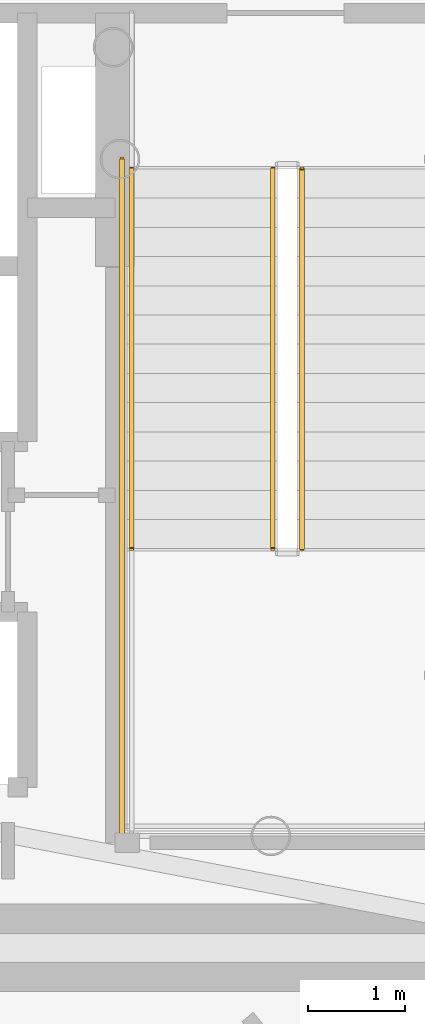
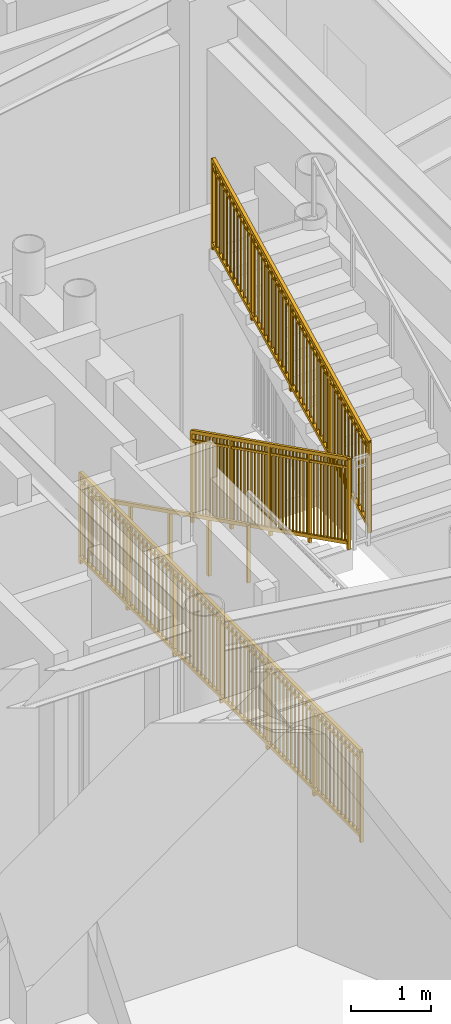
# One storey, part 31 of 35: 4 railings.
"""IFC4 building model written with IfcOpenShell, lengths in metres."""

from ifc_helpers import new_model, si_unit, direction, frame, origin, origin_2d, place, context, subcontext, project, spatial, rectangle, extrude, source, transform, mapped, material, type_object, element, save


model = new_model("IFC4")

# Units and contexts
model_context = context("Model", 3, precision=1e-05, world=origin(), true_north=direction((0.0, 1.0)))
body_context = subcontext(model_context, "Body", "Model", "MODEL_VIEW")
ifc_project = project(units=[si_unit("LENGTHUNIT", "METRE"), si_unit("AREAUNIT", "SQUARE_METRE"), si_unit("VOLUMEUNIT", "CUBIC_METRE"), si_unit("PLANEANGLEUNIT", "RADIAN"), si_unit("MASSUNIT", "GRAM", prefix="KILO")], contexts=[model_context])

# Site, building, storey
site_placement = place(None, origin())
site = spatial("IfcSite", under=ifc_project, at=site_placement, CompositionType="ELEMENT")
building_placement = place(site_placement, origin())
building = spatial("IfcBuilding", under=site, at=building_placement, Name="Linh Dai School and Residence Tower", CompositionType="ELEMENT")
storey_placement = place(building_placement, frame((0.0, 0.0, 32.39990234375)))
storey = spatial("IfcBuildingStorey", under=building, at=storey_placement, Name="L07", CompositionType="ELEMENT", Elevation=32.39990234375)

# Railings
ifc_material_1 = material(Name="Structural Steel S355JR", Category="steel")
railing_type_1 = type_object("IfcRailingType", Name="RL-ST-GUARD-1400", PredefinedType="GUARDRAIL", material=ifc_material_1)
shared_shape_1 = source(origin(), body_context, "Body", "SweptSolid", [
    extrude(rectangle(XDim=0.048095703125, YDim=0.048095703125, at=origin_2d()), frame((0.0, 0.0, 1.3759765625), z_axis=(0.0, -1.0, 0.0), x_axis=(1.0, 0.0, 0.0)), (0.0, 0.0, 1.0), 7.0),
    extrude(rectangle(XDim=0.048095703125, YDim=0.048095703125, at=origin_2d()), frame((0.0, 0.0, 0.10009765625), z_axis=(0.0, -1.0, 0.0), x_axis=(1.0, 0.0, 0.0)), (0.0, 0.0, 1.0), 7.0),
    extrude(rectangle(XDim=0.030029296875, YDim=0.030029296875, at=origin_2d()), frame((0.0, 0.0, 1.239990234375), z_axis=(0.0, -1.0, 0.0), x_axis=(1.0, 0.0, 0.0)), (0.0, 0.0, 1.0), 7.0),
    extrude(rectangle(XDim=0.02001953125, YDim=0.02001953125, at=origin_2d()), frame((0.0, -0.09716796875, 0.10009765625)), (0.0, 0.0, 1.0), 1.251708984375),
    extrude(rectangle(XDim=0.02001953125, YDim=0.02001953125, at=origin_2d()), frame((0.0, -0.1943359375, 0.10009765625)), (0.0, 0.0, 1.0), 1.251708984375),
    extrude(rectangle(XDim=0.02001953125, YDim=0.02001953125, at=origin_2d()), frame((0.0, -0.291748046875, 0.10009765625)), (0.0, 0.0, 1.0), 1.251708984375),
    extrude(rectangle(XDim=0.02001953125, YDim=0.02001953125, at=origin_2d()), frame((0.0, -0.388916015625, 0.10009765625)), (0.0, 0.0, 1.0), 1.251708984375),
    extrude(rectangle(XDim=0.02001953125, YDim=0.02001953125, at=origin_2d()), frame((0.0, -0.486083984375, 0.10009765625)), (0.0, 0.0, 1.0), 1.251708984375),
    extrude(rectangle(XDim=0.02001953125, YDim=0.02001953125, at=origin_2d()), frame((0.0, -0.583251953125, 0.10009765625)), (0.0, 0.0, 1.0), 1.251708984375),
    extrude(rectangle(XDim=0.02001953125, YDim=0.02001953125, at=origin_2d()), frame((0.0, -0.6806640625, 0.10009765625)), (0.0, 0.0, 1.0), 1.251708984375),
    extrude(rectangle(XDim=0.02001953125, YDim=0.02001953125, at=origin_2d()), frame((0.0, -0.77783203125, 0.10009765625)), (0.0, 0.0, 1.0), 1.251708984375),
    extrude(rectangle(XDim=0.02001953125, YDim=0.02001953125, at=origin_2d()), frame((0.0, -0.875, 0.10009765625)), (0.0, 0.0, 1.0), 1.251708984375),
    extrude(rectangle(XDim=0.02001953125, YDim=0.02001953125, at=origin_2d()), frame((0.0, -0.97216796875, 0.10009765625)), (0.0, 0.0, 1.0), 1.251708984375),
    extrude(rectangle(XDim=0.02001953125, YDim=0.02001953125, at=origin_2d()), frame((0.0, -1.0693359375, 0.10009765625)), (0.0, 0.0, 1.0), 1.251708984375),
    extrude(rectangle(XDim=0.02001953125, YDim=0.02001953125, at=origin_2d()), frame((0.0, -1.263916015625, 0.10009765625)), (0.0, 0.0, 1.0), 1.251708984375),
    extrude(rectangle(XDim=0.02001953125, YDim=0.02001953125, at=origin_2d()), frame((0.0, -1.361083984375, 0.10009765625)), (0.0, 0.0, 1.0), 1.251708984375),
    extrude(rectangle(XDim=0.02001953125, YDim=0.02001953125, at=origin_2d()), frame((0.0, -1.458251953125, 0.10009765625)), (0.0, 0.0, 1.0), 1.251708984375),
    extrude(rectangle(XDim=0.02001953125, YDim=0.02001953125, at=origin_2d()), frame((0.0, -1.5556640625, 0.10009765625)), (0.0, 0.0, 1.0), 1.251708984375),
    extrude(rectangle(XDim=0.02001953125, YDim=0.02001953125, at=origin_2d()), frame((0.0, -1.65283203125, 0.10009765625)), (0.0, 0.0, 1.0), 1.251708984375),
    extrude(rectangle(XDim=0.02001953125, YDim=0.02001953125, at=origin_2d()), frame((0.0, -1.75, 0.10009765625)), (0.0, 0.0, 1.0), 1.251708984375),
    extrude(rectangle(XDim=0.02001953125, YDim=0.02001953125, at=origin_2d()), frame((0.0, -1.84716796875, 0.10009765625)), (0.0, 0.0, 1.0), 1.251708984375),
    extrude(rectangle(XDim=0.02001953125, YDim=0.02001953125, at=origin_2d()), frame((0.0, -1.9443359375, 0.10009765625)), (0.0, 0.0, 1.0), 1.251708984375),
    extrude(rectangle(XDim=0.02001953125, YDim=0.02001953125, at=origin_2d()), frame((0.0, -2.041748046875, 0.10009765625)), (0.0, 0.0, 1.0), 1.251708984375),
    extrude(rectangle(XDim=0.02001953125, YDim=0.02001953125, at=origin_2d()), frame((0.0, -2.138916015625, 0.10009765625)), (0.0, 0.0, 1.0), 1.251708984375),
    extrude(rectangle(XDim=0.02001953125, YDim=0.02001953125, at=origin_2d()), frame((0.0, -2.236083984375, 0.10009765625)), (0.0, 0.0, 1.0), 1.251708984375),
    extrude(rectangle(XDim=0.02001953125, YDim=0.02001953125, at=origin_2d()), frame((0.0, -2.4306640625, 0.10009765625)), (0.0, 0.0, 1.0), 1.251708984375),
    extrude(rectangle(XDim=0.02001953125, YDim=0.02001953125, at=origin_2d()), frame((0.0, -2.52783203125, 0.10009765625)), (0.0, 0.0, 1.0), 1.251708984375),
    extrude(rectangle(XDim=0.02001953125, YDim=0.02001953125, at=origin_2d()), frame((0.0, -2.625, 0.10009765625)), (0.0, 0.0, 1.0), 1.251708984375),
    extrude(rectangle(XDim=0.02001953125, YDim=0.02001953125, at=origin_2d()), frame((0.0, -2.72216796875, 0.10009765625)), (0.0, 0.0, 1.0), 1.251708984375),
    extrude(rectangle(XDim=0.02001953125, YDim=0.02001953125, at=origin_2d()), frame((0.0, -2.8193359375, 0.10009765625)), (0.0, 0.0, 1.0), 1.251708984375),
    extrude(rectangle(XDim=0.02001953125, YDim=0.02001953125, at=origin_2d()), frame((0.0, -2.916748046875, 0.10009765625)), (0.0, 0.0, 1.0), 1.251708984375),
    extrude(rectangle(XDim=0.02001953125, YDim=0.02001953125, at=origin_2d()), frame((0.0, -3.013916015625, 0.10009765625)), (0.0, 0.0, 1.0), 1.251708984375),
    extrude(rectangle(XDim=0.02001953125, YDim=0.02001953125, at=origin_2d()), frame((0.0, -3.111083984375, 0.10009765625)), (0.0, 0.0, 1.0), 1.251708984375),
    extrude(rectangle(XDim=0.02001953125, YDim=0.02001953125, at=origin_2d()), frame((0.0, -3.208251953125, 0.10009765625)), (0.0, 0.0, 1.0), 1.251708984375),
    extrude(rectangle(XDim=0.02001953125, YDim=0.02001953125, at=origin_2d()), frame((0.0, -3.3056640625, 0.10009765625)), (0.0, 0.0, 1.0), 1.251708984375),
    extrude(rectangle(XDim=0.02001953125, YDim=0.02001953125, at=origin_2d()), frame((0.0, -3.40283203125, 0.10009765625)), (0.0, 0.0, 1.0), 1.251708984375),
    extrude(rectangle(XDim=0.02001953125, YDim=0.02001953125, at=origin_2d()), frame((0.0, -3.59716796875, 0.10009765625)), (0.0, 0.0, 1.0), 1.251708984375),
    extrude(rectangle(XDim=0.02001953125, YDim=0.02001953125, at=origin_2d()), frame((0.0, -3.6943359375, 0.10009765625)), (0.0, 0.0, 1.0), 1.251708984375),
    extrude(rectangle(XDim=0.02001953125, YDim=0.02001953125, at=origin_2d()), frame((0.0, -3.791748046875, 0.10009765625)), (0.0, 0.0, 1.0), 1.251708984375),
    extrude(rectangle(XDim=0.02001953125, YDim=0.02001953125, at=origin_2d()), frame((0.0, -3.888916015625, 0.10009765625)), (0.0, 0.0, 1.0), 1.251708984375),
    extrude(rectangle(XDim=0.02001953125, YDim=0.02001953125, at=origin_2d()), frame((0.0, -3.986083984375, 0.10009765625)), (0.0, 0.0, 1.0), 1.251708984375),
    extrude(rectangle(XDim=0.02001953125, YDim=0.02001953125, at=origin_2d()), frame((0.0, -4.083251953125, 0.10009765625)), (0.0, 0.0, 1.0), 1.251708984375),
    extrude(rectangle(XDim=0.02001953125, YDim=0.02001953125, at=origin_2d()), frame((0.0, -4.1806640625, 0.10009765625)), (0.0, 0.0, 1.0), 1.251708984375),
    extrude(rectangle(XDim=0.02001953125, YDim=0.02001953125, at=origin_2d()), frame((0.0, -4.27783203125, 0.10009765625)), (0.0, 0.0, 1.0), 1.251708984375),
    extrude(rectangle(XDim=0.02001953125, YDim=0.02001953125, at=origin_2d()), frame((0.0, -4.375, 0.10009765625)), (0.0, 0.0, 1.0), 1.251708984375),
    extrude(rectangle(XDim=0.02001953125, YDim=0.02001953125, at=origin_2d()), frame((0.0, -4.47216796875, 0.10009765625)), (0.0, 0.0, 1.0), 1.251708984375),
    extrude(rectangle(XDim=0.02001953125, YDim=0.02001953125, at=origin_2d()), frame((0.0, -4.5693359375, 0.10009765625)), (0.0, 0.0, 1.0), 1.251708984375),
    extrude(rectangle(XDim=0.02001953125, YDim=0.02001953125, at=origin_2d()), frame((0.0, -4.763916015625, 0.10009765625)), (0.0, 0.0, 1.0), 1.251708984375),
    extrude(rectangle(XDim=0.02001953125, YDim=0.02001953125, at=origin_2d()), frame((0.0, -4.861083984375, 0.10009765625)), (0.0, 0.0, 1.0), 1.251708984375),
    extrude(rectangle(XDim=0.02001953125, YDim=0.02001953125, at=origin_2d()), frame((0.0, -4.958251953125, 0.10009765625)), (0.0, 0.0, 1.0), 1.251708984375),
    extrude(rectangle(XDim=0.02001953125, YDim=0.02001953125, at=origin_2d()), frame((0.0, -5.0556640625, 0.10009765625)), (0.0, 0.0, 1.0), 1.251708984375),
    extrude(rectangle(XDim=0.02001953125, YDim=0.02001953125, at=origin_2d()), frame((0.0, -5.15283203125, 0.10009765625)), (0.0, 0.0, 1.0), 1.251708984375),
    extrude(rectangle(XDim=0.02001953125, YDim=0.02001953125, at=origin_2d()), frame((0.0, -5.25, 0.10009765625)), (0.0, 0.0, 1.0), 1.251708984375),
    extrude(rectangle(XDim=0.02001953125, YDim=0.02001953125, at=origin_2d()), frame((0.0, -5.34716796875, 0.10009765625)), (0.0, 0.0, 1.0), 1.251708984375),
    extrude(rectangle(XDim=0.02001953125, YDim=0.02001953125, at=origin_2d()), frame((0.0, -5.4443359375, 0.10009765625)), (0.0, 0.0, 1.0), 1.251708984375),
    extrude(rectangle(XDim=0.02001953125, YDim=0.02001953125, at=origin_2d()), frame((0.0, -5.541748046875, 0.10009765625)), (0.0, 0.0, 1.0), 1.251708984375),
    extrude(rectangle(XDim=0.02001953125, YDim=0.02001953125, at=origin_2d()), frame((0.0, -5.638916015625, 0.10009765625)), (0.0, 0.0, 1.0), 1.251708984375),
    extrude(rectangle(XDim=0.02001953125, YDim=0.02001953125, at=origin_2d()), frame((0.0, -5.736083984375, 0.10009765625)), (0.0, 0.0, 1.0), 1.251708984375),
    extrude(rectangle(XDim=0.02001953125, YDim=0.02001953125, at=origin_2d()), frame((0.0, -5.9306640625, 0.10009765625)), (0.0, 0.0, 1.0), 1.251708984375),
    extrude(rectangle(XDim=0.02001953125, YDim=0.02001953125, at=origin_2d()), frame((0.0, -6.02783203125, 0.10009765625)), (0.0, 0.0, 1.0), 1.251708984375),
    extrude(rectangle(XDim=0.02001953125, YDim=0.02001953125, at=origin_2d()), frame((0.0, -6.125, 0.10009765625)), (0.0, 0.0, 1.0), 1.251708984375),
    extrude(rectangle(XDim=0.02001953125, YDim=0.02001953125, at=origin_2d()), frame((0.0, -6.22216796875, 0.10009765625)), (0.0, 0.0, 1.0), 1.251708984375),
    extrude(rectangle(XDim=0.02001953125, YDim=0.02001953125, at=origin_2d()), frame((0.0, -6.3193359375, 0.10009765625)), (0.0, 0.0, 1.0), 1.251708984375),
    extrude(rectangle(XDim=0.02001953125, YDim=0.02001953125, at=origin_2d()), frame((0.0, -6.416748046875, 0.10009765625)), (0.0, 0.0, 1.0), 1.251708984375),
    extrude(rectangle(XDim=0.02001953125, YDim=0.02001953125, at=origin_2d()), frame((0.0, -6.513916015625, 0.10009765625)), (0.0, 0.0, 1.0), 1.251708984375),
    extrude(rectangle(XDim=0.02001953125, YDim=0.02001953125, at=origin_2d()), frame((0.0, -6.611083984375, 0.10009765625)), (0.0, 0.0, 1.0), 1.251708984375),
    extrude(rectangle(XDim=0.02001953125, YDim=0.02001953125, at=origin_2d()), frame((0.0, -6.708251953125, 0.10009765625)), (0.0, 0.0, 1.0), 1.251708984375),
    extrude(rectangle(XDim=0.02001953125, YDim=0.02001953125, at=origin_2d()), frame((0.0, -6.8056640625, 0.10009765625)), (0.0, 0.0, 1.0), 1.251708984375),
    extrude(rectangle(XDim=0.02001953125, YDim=0.02001953125, at=origin_2d()), frame((0.0, -6.90283203125, 0.10009765625)), (0.0, 0.0, 1.0), 1.251708984375),
    extrude(rectangle(XDim=0.0419921875, YDim=0.0419921875, at=origin_2d()), origin(), (0.0, 0.0, 1.0), 1.3759765625),
    extrude(rectangle(XDim=0.0419921875, YDim=0.0419921875, at=origin_2d()), frame((0.0, -1.166748046875, 0.0)), (0.0, 0.0, 1.0), 1.3759765625),
    extrude(rectangle(XDim=0.0419921875, YDim=0.0419921875, at=origin_2d()), frame((0.0, -2.333251953125, 0.0)), (0.0, 0.0, 1.0), 1.3759765625),
    extrude(rectangle(XDim=0.0419921875, YDim=0.0419921875, at=origin_2d()), frame((0.0, -3.5, 0.0)), (0.0, 0.0, 1.0), 1.3759765625),
    extrude(rectangle(XDim=0.0419921875, YDim=0.0419921875, at=origin_2d()), frame((0.0, -4.666748046875, 0.0)), (0.0, 0.0, 1.0), 1.3759765625),
    extrude(rectangle(XDim=0.0419921875, YDim=0.0419921875, at=origin_2d()), frame((0.0, -5.833251953125, 0.0)), (0.0, 0.0, 1.0), 1.3759765625),
    extrude(rectangle(XDim=0.0419921875, YDim=0.0419921875, at=origin_2d()), frame((0.0, -7.0, 0.0)), (0.0, 0.0, 1.0), 1.3759765625),
])
railing_1_placement = place(storey_placement, frame((40.969970703125, 28.35009765625, 0.0)))
element("IfcRailing", 1, at=railing_1_placement, inside=storey, type_object=railing_type_1, Name="L07 ST2 stair guard 10", PredefinedType="GUARDRAIL", context=body_context, shape_type="MappedRepresentation", body=[
    mapped(shared_shape_1, transform((0.0, 0.0, 0.0), x_axis=(1.0, 0.0, 0.0), y_axis=(0.0, 1.0, 0.0), z_axis=(0.0, 0.0, 1.0), scale=1.0)),
])
shared_shape_2 = source(origin(), body_context, "Body", "SweptSolid", [
    extrude(rectangle(XDim=0.048095703125, YDim=0.048095703125, at=origin_2d()), frame((0.0, 0.0, 1.3759765625), z_axis=(0.0, -0.894427191, 0.4472135955), x_axis=(1.0, 0.0, 0.0)), (0.0, 0.0, 1.0), 4.360107421875),
    extrude(rectangle(XDim=0.048095703125, YDim=0.048095703125, at=origin_2d()), frame((0.0, 0.0, 0.10009765625), z_axis=(0.0, -0.894427191, 0.4472135955), x_axis=(1.0, 0.0, 0.0)), (0.0, 0.0, 1.0), 4.360107421875),
    extrude(rectangle(XDim=0.030029296875, YDim=0.030029296875, at=origin_2d()), frame((0.0, 0.0, 1.239990234375), z_axis=(0.0, -0.894427191, 0.4472135955), x_axis=(1.0, 0.0, 0.0)), (0.0, 0.0, 1.0), 4.360107421875),
    extrude(rectangle(XDim=0.02001953125, YDim=0.02001953125, at=origin_2d()), frame((0.0, -0.086669921875, 0.143310546875)), (0.0, 0.0, 1.0), 1.251708984375),
    extrude(rectangle(XDim=0.02001953125, YDim=0.02001953125, at=origin_2d()), frame((0.0, -0.17333984375, 0.186767578125)), (0.0, 0.0, 1.0), 1.251708984375),
    extrude(rectangle(XDim=0.02001953125, YDim=0.02001953125, at=origin_2d()), frame((0.0, -0.260009765625, 0.22998046875)), (0.0, 0.0, 1.0), 1.251708984375),
    extrude(rectangle(XDim=0.02001953125, YDim=0.02001953125, at=origin_2d()), frame((0.0, -0.3466796875, 0.2734375)), (0.0, 0.0, 1.0), 1.251708984375),
    extrude(rectangle(XDim=0.02001953125, YDim=0.02001953125, at=origin_2d()), frame((0.0, -0.433349609375, 0.316650390625)), (0.0, 0.0, 1.0), 1.251708984375),
    extrude(rectangle(XDim=0.02001953125, YDim=0.02001953125, at=origin_2d()), frame((0.0, -0.52001953125, 0.360107421875)), (0.0, 0.0, 1.0), 1.251708984375),
    extrude(rectangle(XDim=0.02001953125, YDim=0.02001953125, at=origin_2d()), frame((0.0, -0.606689453125, 0.4033203125)), (0.0, 0.0, 1.0), 1.251708984375),
    extrude(rectangle(XDim=0.02001953125, YDim=0.02001953125, at=origin_2d()), frame((0.0, -0.693359375, 0.44677734375)), (0.0, 0.0, 1.0), 1.251708984375),
    extrude(rectangle(XDim=0.02001953125, YDim=0.02001953125, at=origin_2d()), frame((0.0, -0.780029296875, 0.489990234375)), (0.0, 0.0, 1.0), 1.251708984375),
    extrude(rectangle(XDim=0.02001953125, YDim=0.02001953125, at=origin_2d()), frame((0.0, -0.86669921875, 0.533447265625)), (0.0, 0.0, 1.0), 1.251708984375),
    extrude(rectangle(XDim=0.02001953125, YDim=0.02001953125, at=origin_2d()), frame((0.0, -1.0400390625, 0.6201171875)), (0.0, 0.0, 1.0), 1.251708984375),
    extrude(rectangle(XDim=0.02001953125, YDim=0.02001953125, at=origin_2d()), frame((0.0, -1.126708984375, 0.663330078125)), (0.0, 0.0, 1.0), 1.251708984375),
    extrude(rectangle(XDim=0.02001953125, YDim=0.02001953125, at=origin_2d()), frame((0.0, -1.21337890625, 0.706787109375)), (0.0, 0.0, 1.0), 1.251708984375),
    extrude(rectangle(XDim=0.02001953125, YDim=0.02001953125, at=origin_2d()), frame((0.0, -1.300048828125, 0.75)), (0.0, 0.0, 1.0), 1.251708984375),
    extrude(rectangle(XDim=0.02001953125, YDim=0.02001953125, at=origin_2d()), frame((0.0, -1.38671875, 0.79345703125)), (0.0, 0.0, 1.0), 1.251708984375),
    extrude(rectangle(XDim=0.02001953125, YDim=0.02001953125, at=origin_2d()), frame((0.0, -1.473388671875, 0.836669921875)), (0.0, 0.0, 1.0), 1.251708984375),
    extrude(rectangle(XDim=0.02001953125, YDim=0.02001953125, at=origin_2d()), frame((0.0, -1.56005859375, 0.880126953125)), (0.0, 0.0, 1.0), 1.251708984375),
    extrude(rectangle(XDim=0.02001953125, YDim=0.02001953125, at=origin_2d()), frame((0.0, -1.646728515625, 0.92333984375)), (0.0, 0.0, 1.0), 1.251708984375),
    extrude(rectangle(XDim=0.02001953125, YDim=0.02001953125, at=origin_2d()), frame((0.0, -1.7333984375, 0.966796875)), (0.0, 0.0, 1.0), 1.251708984375),
    extrude(rectangle(XDim=0.02001953125, YDim=0.02001953125, at=origin_2d()), frame((0.0, -1.820068359375, 1.010009765625)), (0.0, 0.0, 1.0), 1.251708984375),
    extrude(rectangle(XDim=0.02001953125, YDim=0.02001953125, at=origin_2d()), frame((0.0, -1.90673828125, 1.053466796875)), (0.0, 0.0, 1.0), 1.251708984375),
    extrude(rectangle(XDim=0.02001953125, YDim=0.02001953125, at=origin_2d()), frame((0.0, -1.9931640625, 1.0966796875)), (0.0, 0.0, 1.0), 1.251708984375),
    extrude(rectangle(XDim=0.02001953125, YDim=0.02001953125, at=origin_2d()), frame((0.0, -2.079833984375, 1.14013671875)), (0.0, 0.0, 1.0), 1.251708984375),
    extrude(rectangle(XDim=0.02001953125, YDim=0.02001953125, at=origin_2d()), frame((0.0, -2.16650390625, 1.183349609375)), (0.0, 0.0, 1.0), 1.251708984375),
    extrude(rectangle(XDim=0.02001953125, YDim=0.02001953125, at=origin_2d()), frame((0.0, -2.253173828125, 1.226806640625)), (0.0, 0.0, 1.0), 1.251708984375),
    extrude(rectangle(XDim=0.02001953125, YDim=0.02001953125, at=origin_2d()), frame((0.0, -2.33984375, 1.27001953125)), (0.0, 0.0, 1.0), 1.251708984375),
    extrude(rectangle(XDim=0.02001953125, YDim=0.02001953125, at=origin_2d()), frame((0.0, -2.426513671875, 1.3134765625)), (0.0, 0.0, 1.0), 1.251708984375),
    extrude(rectangle(XDim=0.02001953125, YDim=0.02001953125, at=origin_2d()), frame((0.0, -2.51318359375, 1.356689453125)), (0.0, 0.0, 1.0), 1.251708984375),
    extrude(rectangle(XDim=0.02001953125, YDim=0.02001953125, at=origin_2d()), frame((0.0, -2.599853515625, 1.400146484375)), (0.0, 0.0, 1.0), 1.251708984375),
    extrude(rectangle(XDim=0.02001953125, YDim=0.02001953125, at=origin_2d()), frame((0.0, -2.6865234375, 1.443359375)), (0.0, 0.0, 1.0), 1.251708984375),
    extrude(rectangle(XDim=0.02001953125, YDim=0.02001953125, at=origin_2d()), frame((0.0, -2.773193359375, 1.48681640625)), (0.0, 0.0, 1.0), 1.251708984375),
    extrude(rectangle(XDim=0.02001953125, YDim=0.02001953125, at=origin_2d()), frame((0.0, -2.85986328125, 1.530029296875)), (0.0, 0.0, 1.0), 1.251708984375),
    extrude(rectangle(XDim=0.02001953125, YDim=0.02001953125, at=origin_2d()), frame((0.0, -3.033203125, 1.61669921875)), (0.0, 0.0, 1.0), 1.251708984375),
    extrude(rectangle(XDim=0.02001953125, YDim=0.02001953125, at=origin_2d()), frame((0.0, -3.119873046875, 1.66015625)), (0.0, 0.0, 1.0), 1.251708984375),
    extrude(rectangle(XDim=0.02001953125, YDim=0.02001953125, at=origin_2d()), frame((0.0, -3.20654296875, 1.703369140625)), (0.0, 0.0, 1.0), 1.251708984375),
    extrude(rectangle(XDim=0.02001953125, YDim=0.02001953125, at=origin_2d()), frame((0.0, -3.293212890625, 1.746826171875)), (0.0, 0.0, 1.0), 1.251708984375),
    extrude(rectangle(XDim=0.02001953125, YDim=0.02001953125, at=origin_2d()), frame((0.0, -3.3798828125, 1.7900390625)), (0.0, 0.0, 1.0), 1.251708984375),
    extrude(rectangle(XDim=0.02001953125, YDim=0.02001953125, at=origin_2d()), frame((0.0, -3.466552734375, 1.83349609375)), (0.0, 0.0, 1.0), 1.251708984375),
    extrude(rectangle(XDim=0.02001953125, YDim=0.02001953125, at=origin_2d()), frame((0.0, -3.55322265625, 1.876708984375)), (0.0, 0.0, 1.0), 1.251708984375),
    extrude(rectangle(XDim=0.02001953125, YDim=0.02001953125, at=origin_2d()), frame((0.0, -3.639892578125, 1.920166015625)), (0.0, 0.0, 1.0), 1.251708984375),
    extrude(rectangle(XDim=0.02001953125, YDim=0.02001953125, at=origin_2d()), frame((0.0, -3.7265625, 1.96337890625)), (0.0, 0.0, 1.0), 1.251708984375),
    extrude(rectangle(XDim=0.02001953125, YDim=0.02001953125, at=origin_2d()), frame((0.0, -3.813232421875, 2.0068359375)), (0.0, 0.0, 1.0), 1.251708984375),
    extrude(rectangle(XDim=0.0419921875, YDim=0.0419921875, at=origin_2d()), origin(), (0.0, 0.0, 1.0), 1.3759765625),
    extrude(rectangle(XDim=0.0419921875, YDim=0.0419921875, at=origin_2d()), frame((0.0, -0.97509765625, 0.487548828125)), (0.0, 0.0, 1.0), 1.3759765625),
    extrude(rectangle(XDim=0.0419921875, YDim=0.0419921875, at=origin_2d()), frame((0.0, -1.949951171875, 0.97509765625)), (0.0, 0.0, 1.0), 1.3759765625),
    extrude(rectangle(XDim=0.0419921875, YDim=0.0419921875, at=origin_2d()), frame((0.0, -2.9248046875, 1.46240234375)), (0.0, 0.0, 1.0), 1.3759765625),
    extrude(rectangle(XDim=0.0419921875, YDim=0.0419921875, at=origin_2d()), frame((0.0, -3.89990234375, 1.949951171875)), (0.0, 0.0, 1.0), 1.3759765625),
])
railing_2_placement = place(storey_placement, frame((42.52001953125, 28.25, 0.150146484375)))
element("IfcRailing", 2, at=railing_2_placement, inside=storey, type_object=railing_type_1, Name="L07 ST2 stair guard 1", PredefinedType="GUARDRAIL", context=body_context, shape_type="MappedRepresentation", body=[
    mapped(shared_shape_2, transform((0.0, 0.0, 0.0), x_axis=(1.0, 0.0, 0.0), y_axis=(0.0, 1.0, 0.0), z_axis=(0.0, 0.0, 1.0), scale=1.0)),
])
ifc_material_2 = material(Name="Brushed Stainless Steel Handrail", Category="steel")
railing_type_2 = type_object("IfcRailingType", Name="RL-ST-HANDRAIL-900", PredefinedType="HANDRAIL", material=ifc_material_2)
shared_shape_3 = source(origin(), body_context, "Body", "SweptSolid", [
    extrude(rectangle(XDim=0.048095703125, YDim=0.048095703125, at=origin_2d()), frame((0.0, 0.0, 0.8759765625), z_axis=(0.0, -0.894427191, 0.4472135955), x_axis=(1.0, 0.0, 0.0)), (0.0, 0.0, 1.0), 4.360107421875),
    extrude(rectangle(XDim=0.0419921875, YDim=0.0419921875, at=origin_2d()), origin(), (0.0, 0.0, 1.0), 0.8759765625),
    extrude(rectangle(XDim=0.0419921875, YDim=0.0419921875, at=origin_2d()), frame((0.0, -0.97509765625, 0.487548828125)), (0.0, 0.0, 1.0), 0.8759765625),
    extrude(rectangle(XDim=0.0419921875, YDim=0.0419921875, at=origin_2d()), frame((0.0, -1.949951171875, 0.97509765625)), (0.0, 0.0, 1.0), 0.8759765625),
    extrude(rectangle(XDim=0.0419921875, YDim=0.0419921875, at=origin_2d()), frame((0.0, -2.9248046875, 1.46240234375)), (0.0, 0.0, 1.0), 0.8759765625),
    extrude(rectangle(XDim=0.0419921875, YDim=0.0419921875, at=origin_2d()), frame((0.0, -3.89990234375, 1.949951171875)), (0.0, 0.0, 1.0), 0.8759765625),
])
railing_3_placement = place(storey_placement, frame((41.070068359375, 28.25, 0.150146484375)))
element("IfcRailing", 3, at=railing_3_placement, inside=storey, type_object=railing_type_2, Name="L07 ST2 stair handrail 1", PredefinedType="HANDRAIL", context=body_context, shape_type="MappedRepresentation", body=[
    mapped(shared_shape_3, transform((0.0, 0.0, 0.0), x_axis=(1.0, 0.0, 0.0), y_axis=(0.0, 1.0, 0.0), z_axis=(0.0, 0.0, 1.0), scale=1.0)),
])
shared_shape_4 = source(origin(), body_context, "Body", "SweptSolid", [
    extrude(rectangle(XDim=0.048095703125, YDim=0.048095703125, at=origin_2d()), frame((0.0, 0.0, 1.3759765625), z_axis=(0.0, 0.894404793364, 0.447258387967), x_axis=(-1.0, 0.0, 0.0)), (0.0, 0.0, 1.0), 4.3603515625),
    extrude(rectangle(XDim=0.048095703125, YDim=0.048095703125, at=origin_2d()), frame((0.0, 0.0, 0.10009765625), z_axis=(0.0, 0.894404793364, 0.447258387967), x_axis=(-1.0, 0.0, 0.0)), (0.0, 0.0, 1.0), 4.3603515625),
    extrude(rectangle(XDim=0.030029296875, YDim=0.030029296875, at=origin_2d()), frame((0.0, 0.0, 1.239990234375), z_axis=(0.0, 0.894404793364, 0.447258387967), x_axis=(-1.0, 0.0, 0.0)), (0.0, 0.0, 1.0), 4.3603515625),
    extrude(rectangle(XDim=0.02001953125, YDim=0.02001953125, at=origin_2d()), frame((0.0, 0.086669921875, 0.1435546875)), (0.0, 0.0, 1.0), 1.251708984375),
    extrude(rectangle(XDim=0.02001953125, YDim=0.02001953125, at=origin_2d()), frame((0.0, 0.17333984375, 0.186767578125)), (0.0, 0.0, 1.0), 1.251708984375),
    extrude(rectangle(XDim=0.02001953125, YDim=0.02001953125, at=origin_2d()), frame((0.0, 0.260009765625, 0.230224609375)), (0.0, 0.0, 1.0), 1.251708984375),
    extrude(rectangle(XDim=0.02001953125, YDim=0.02001953125, at=origin_2d()), frame((0.0, 0.3466796875, 0.2734375)), (0.0, 0.0, 1.0), 1.251708984375),
    extrude(rectangle(XDim=0.02001953125, YDim=0.02001953125, at=origin_2d()), frame((0.0, 0.433349609375, 0.31689453125)), (0.0, 0.0, 1.0), 1.251708984375),
    extrude(rectangle(XDim=0.02001953125, YDim=0.02001953125, at=origin_2d()), frame((0.0, 0.52001953125, 0.360107421875)), (0.0, 0.0, 1.0), 1.251708984375),
    extrude(rectangle(XDim=0.02001953125, YDim=0.02001953125, at=origin_2d()), frame((0.0, 0.606689453125, 0.403564453125)), (0.0, 0.0, 1.0), 1.251708984375),
    extrude(rectangle(XDim=0.02001953125, YDim=0.02001953125, at=origin_2d()), frame((0.0, 0.693359375, 0.44677734375)), (0.0, 0.0, 1.0), 1.251708984375),
    extrude(rectangle(XDim=0.02001953125, YDim=0.02001953125, at=origin_2d()), frame((0.0, 0.780029296875, 0.490234375)), (0.0, 0.0, 1.0), 1.251708984375),
    extrude(rectangle(XDim=0.02001953125, YDim=0.02001953125, at=origin_2d()), frame((0.0, 0.86669921875, 0.533447265625)), (0.0, 0.0, 1.0), 1.251708984375),
    extrude(rectangle(XDim=0.02001953125, YDim=0.02001953125, at=origin_2d()), frame((0.0, 1.0400390625, 0.6201171875)), (0.0, 0.0, 1.0), 1.251708984375),
    extrude(rectangle(XDim=0.02001953125, YDim=0.02001953125, at=origin_2d()), frame((0.0, 1.126708984375, 0.66357421875)), (0.0, 0.0, 1.0), 1.251708984375),
    extrude(rectangle(XDim=0.02001953125, YDim=0.02001953125, at=origin_2d()), frame((0.0, 1.21337890625, 0.706787109375)), (0.0, 0.0, 1.0), 1.251708984375),
    extrude(rectangle(XDim=0.02001953125, YDim=0.02001953125, at=origin_2d()), frame((0.0, 1.300048828125, 0.750244140625)), (0.0, 0.0, 1.0), 1.251708984375),
    extrude(rectangle(XDim=0.02001953125, YDim=0.02001953125, at=origin_2d()), frame((0.0, 1.38671875, 0.79345703125)), (0.0, 0.0, 1.0), 1.251708984375),
    extrude(rectangle(XDim=0.02001953125, YDim=0.02001953125, at=origin_2d()), frame((0.0, 1.473388671875, 0.8369140625)), (0.0, 0.0, 1.0), 1.251708984375),
    extrude(rectangle(XDim=0.02001953125, YDim=0.02001953125, at=origin_2d()), frame((0.0, 1.56005859375, 0.880126953125)), (0.0, 0.0, 1.0), 1.251708984375),
    extrude(rectangle(XDim=0.02001953125, YDim=0.02001953125, at=origin_2d()), frame((0.0, 1.646728515625, 0.923583984375)), (0.0, 0.0, 1.0), 1.251708984375),
    extrude(rectangle(XDim=0.02001953125, YDim=0.02001953125, at=origin_2d()), frame((0.0, 1.7333984375, 0.966796875)), (0.0, 0.0, 1.0), 1.251708984375),
    extrude(rectangle(XDim=0.02001953125, YDim=0.02001953125, at=origin_2d()), frame((0.0, 1.820068359375, 1.01025390625)), (0.0, 0.0, 1.0), 1.251708984375),
    extrude(rectangle(XDim=0.02001953125, YDim=0.02001953125, at=origin_2d()), frame((0.0, 1.90673828125, 1.053466796875)), (0.0, 0.0, 1.0), 1.251708984375),
    extrude(rectangle(XDim=0.02001953125, YDim=0.02001953125, at=origin_2d()), frame((0.0, 1.9931640625, 1.096923828125)), (0.0, 0.0, 1.0), 1.251708984375),
    extrude(rectangle(XDim=0.02001953125, YDim=0.02001953125, at=origin_2d()), frame((0.0, 2.079833984375, 1.14013671875)), (0.0, 0.0, 1.0), 1.251708984375),
    extrude(rectangle(XDim=0.02001953125, YDim=0.02001953125, at=origin_2d()), frame((0.0, 2.16650390625, 1.18359375)), (0.0, 0.0, 1.0), 1.251708984375),
    extrude(rectangle(XDim=0.02001953125, YDim=0.02001953125, at=origin_2d()), frame((0.0, 2.253173828125, 1.226806640625)), (0.0, 0.0, 1.0), 1.251708984375),
    extrude(rectangle(XDim=0.02001953125, YDim=0.02001953125, at=origin_2d()), frame((0.0, 2.33984375, 1.270263671875)), (0.0, 0.0, 1.0), 1.251708984375),
    extrude(rectangle(XDim=0.02001953125, YDim=0.02001953125, at=origin_2d()), frame((0.0, 2.426513671875, 1.3134765625)), (0.0, 0.0, 1.0), 1.251708984375),
    extrude(rectangle(XDim=0.02001953125, YDim=0.02001953125, at=origin_2d()), frame((0.0, 2.51318359375, 1.35693359375)), (0.0, 0.0, 1.0), 1.251708984375),
    extrude(rectangle(XDim=0.02001953125, YDim=0.02001953125, at=origin_2d()), frame((0.0, 2.599853515625, 1.400146484375)), (0.0, 0.0, 1.0), 1.251708984375),
    extrude(rectangle(XDim=0.02001953125, YDim=0.02001953125, at=origin_2d()), frame((0.0, 2.6865234375, 1.443603515625)), (0.0, 0.0, 1.0), 1.251708984375),
    extrude(rectangle(XDim=0.02001953125, YDim=0.02001953125, at=origin_2d()), frame((0.0, 2.773193359375, 1.48681640625)), (0.0, 0.0, 1.0), 1.251708984375),
    extrude(rectangle(XDim=0.02001953125, YDim=0.02001953125, at=origin_2d()), frame((0.0, 2.85986328125, 1.5302734375)), (0.0, 0.0, 1.0), 1.251708984375),
    extrude(rectangle(XDim=0.02001953125, YDim=0.02001953125, at=origin_2d()), frame((0.0, 3.033203125, 1.616943359375)), (0.0, 0.0, 1.0), 1.251708984375),
    extrude(rectangle(XDim=0.02001953125, YDim=0.02001953125, at=origin_2d()), frame((0.0, 3.119873046875, 1.66015625)), (0.0, 0.0, 1.0), 1.251708984375),
    extrude(rectangle(XDim=0.02001953125, YDim=0.02001953125, at=origin_2d()), frame((0.0, 3.20654296875, 1.70361328125)), (0.0, 0.0, 1.0), 1.251708984375),
    extrude(rectangle(XDim=0.02001953125, YDim=0.02001953125, at=origin_2d()), frame((0.0, 3.293212890625, 1.746826171875)), (0.0, 0.0, 1.0), 1.251708984375),
    extrude(rectangle(XDim=0.02001953125, YDim=0.02001953125, at=origin_2d()), frame((0.0, 3.3798828125, 1.790283203125)), (0.0, 0.0, 1.0), 1.251708984375),
    extrude(rectangle(XDim=0.02001953125, YDim=0.02001953125, at=origin_2d()), frame((0.0, 3.466552734375, 1.83349609375)), (0.0, 0.0, 1.0), 1.251708984375),
    extrude(rectangle(XDim=0.02001953125, YDim=0.02001953125, at=origin_2d()), frame((0.0, 3.55322265625, 1.876953125)), (0.0, 0.0, 1.0), 1.251708984375),
    extrude(rectangle(XDim=0.02001953125, YDim=0.02001953125, at=origin_2d()), frame((0.0, 3.639892578125, 1.920166015625)), (0.0, 0.0, 1.0), 1.251708984375),
    extrude(rectangle(XDim=0.02001953125, YDim=0.02001953125, at=origin_2d()), frame((0.0, 3.7265625, 1.963623046875)), (0.0, 0.0, 1.0), 1.251708984375),
    extrude(rectangle(XDim=0.02001953125, YDim=0.02001953125, at=origin_2d()), frame((0.0, 3.813232421875, 2.0068359375)), (0.0, 0.0, 1.0), 1.251708984375),
    extrude(rectangle(XDim=0.0419921875, YDim=0.0419921875, at=origin_2d()), origin(), (0.0, 0.0, 1.0), 1.3759765625),
    extrude(rectangle(XDim=0.0419921875, YDim=0.0419921875, at=origin_2d()), frame((0.0, 0.97509765625, 0.487548828125)), (0.0, 0.0, 1.0), 1.3759765625),
    extrude(rectangle(XDim=0.0419921875, YDim=0.0419921875, at=origin_2d()), frame((0.0, 1.949951171875, 0.97509765625)), (0.0, 0.0, 1.0), 1.3759765625),
    extrude(rectangle(XDim=0.0419921875, YDim=0.0419921875, at=origin_2d()), frame((0.0, 2.9248046875, 1.462646484375)), (0.0, 0.0, 1.0), 1.3759765625),
    extrude(rectangle(XDim=0.0419921875, YDim=0.0419921875, at=origin_2d()), frame((0.0, 3.89990234375, 1.9501953125)), (0.0, 0.0, 1.0), 1.3759765625),
])
railing_4_placement = place(storey_placement, frame((42.820068359375, 24.35009765625, 2.25)))
element("IfcRailing", 4, at=railing_4_placement, inside=storey, type_object=railing_type_1, Name="L07 ST2 stair guard 6", PredefinedType="GUARDRAIL", context=body_context, shape_type="MappedRepresentation", body=[
    mapped(shared_shape_4, transform((0.0, 0.0, 0.0), x_axis=(1.0, 0.0, 0.0), y_axis=(0.0, 1.0, 0.0), z_axis=(0.0, 0.0, 1.0), scale=1.0)),
])

save(model, "model.ifc")
